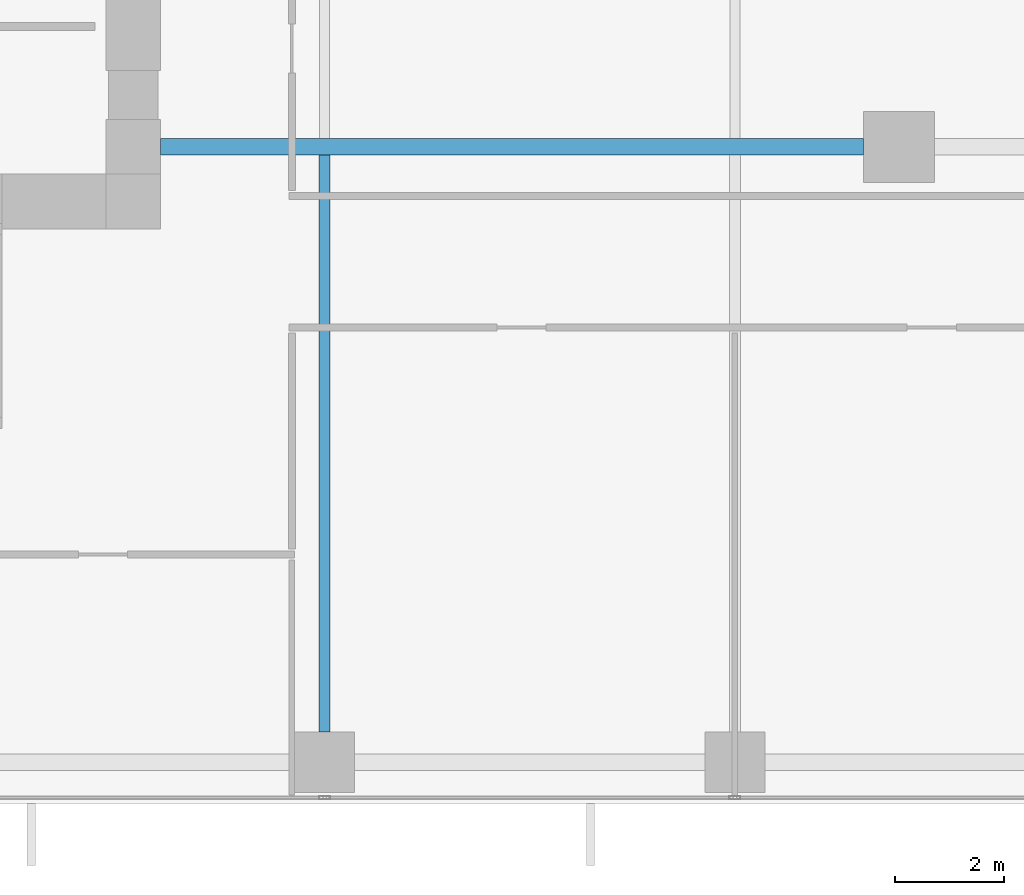
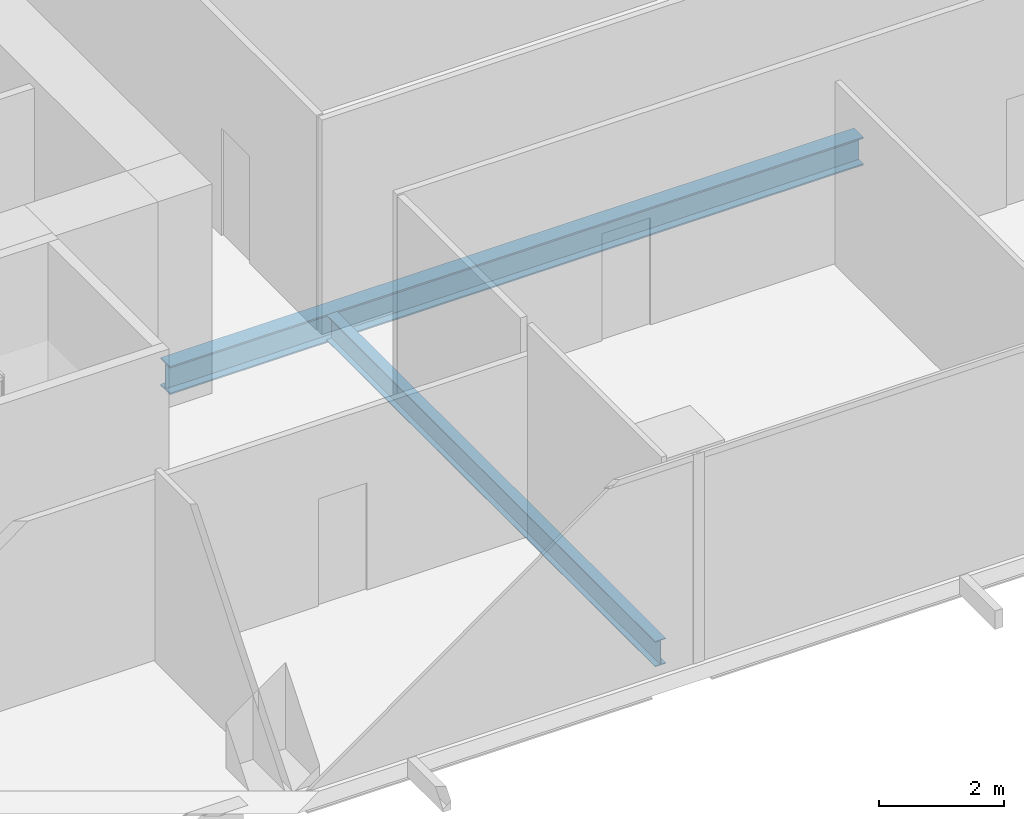
# One storey, part 6 of 34: 2 beams.
"""IFC4 building model written with IfcOpenShell, lengths in metres."""

from ifc_helpers import new_model, si_unit, direction, frame, origin, origin_2d, place, context, subcontext, project, spatial, i_section, extrude, source, transform, mapped, material, material_profile, profile_set, type_object, element, save


model = new_model("IFC4")

# Units and contexts
model_context = context("Model", 3, precision=1e-05, world=origin(), true_north=direction((0.0, 1.0)))
body_context = subcontext(model_context, "Body", "Model", "MODEL_VIEW")
ifc_project = project(units=[si_unit("LENGTHUNIT", "METRE"), si_unit("AREAUNIT", "SQUARE_METRE"), si_unit("VOLUMEUNIT", "CUBIC_METRE"), si_unit("PLANEANGLEUNIT", "RADIAN"), si_unit("MASSUNIT", "GRAM", prefix="KILO")], contexts=[model_context])

# Site, building, storey
site_placement = place(None, origin())
site = spatial("IfcSite", under=ifc_project, at=site_placement, CompositionType="ELEMENT")
building_placement = place(site_placement, origin())
building = spatial("IfcBuilding", under=site, at=building_placement, Name="Khomas Fold Tower", CompositionType="ELEMENT")
storey_placement = place(building_placement, frame((0.0, 0.0, 105.89990234375)))
storey = spatial("IfcBuildingStorey", under=building, at=storey_placement, Name="L22", CompositionType="ELEMENT", Elevation=105.89990234375)

# Beams
ifc_material_1 = material(Name="Steel S355", Category="steel")
ifc_material_profile_1 = material_profile(ifc_material_1, i_section(OverallWidth=0.300048828125, OverallDepth=0.550048828125, WebThickness=0.014892578125, FlangeThickness=0.029052734375, at=origin_2d()), Name="HE 550 B")
ifc_profile_set_1 = profile_set([ifc_material_profile_1], Name="Steel S355")
beam_type_1 = type_object("IfcBeamType", Name="HE 550 B beam GB4", PredefinedType="BEAM", material=ifc_profile_set_1)
shared_shape_1 = source(origin(), body_context, "Body", "SweptSolid", [
    extrude(i_section(OverallWidth=0.300048828125, OverallDepth=0.550048828125, WebThickness=0.014892578125, FlangeThickness=0.029052734375, at=origin_2d()), origin(), (0.0, 0.0, 1.0), 12.85009765625),
])
beam_1_placement = place(storey_placement, frame((24.0, 13.5, -0.574951171875), z_axis=(1.0, 0.0, 0.0), x_axis=(0.0, 1.0, 0.0)))
element("IfcBeam", 1, at=beam_1_placement, inside=storey, type_object=beam_type_1, Name="GB4", PredefinedType="BEAM", context=body_context, shape_type="MappedRepresentation", body=[
    mapped(shared_shape_1, transform((0.0, 0.0, 0.0))),
])
ifc_material_2 = material(Name="Steel S355", Category="steel")
ifc_material_profile_2 = material_profile(ifc_material_2, i_section(OverallWidth=0.199951171875, OverallDepth=0.5, WebThickness=0.01025390625, FlangeThickness=0.01611328125, at=origin_2d()), Name="IPE 500")
ifc_profile_set_2 = profile_set([ifc_material_profile_2], Name="Steel S355")
beam_type_2 = type_object("IfcBeamType", Name="IPE 500 beam JB5", PredefinedType="BEAM", material=ifc_profile_set_2)
shared_shape_2 = source(origin(), body_context, "Body", "SweptSolid", [
    extrude(i_section(OverallWidth=0.199951171875, OverallDepth=0.5, WebThickness=0.01025390625, FlangeThickness=0.01611328125, at=origin_2d()), origin(), (0.0, 0.0, 1.0), 10.550048828125),
])
beam_2_placement = place(storey_placement, frame((27.0, 2.800048828125, -0.5498046875), z_axis=(0.0, 1.0, 0.0), x_axis=(-1.0, 0.0, 0.0)))
element("IfcBeam", 2, at=beam_2_placement, inside=storey, type_object=beam_type_2, Name="JB5", PredefinedType="BEAM", context=body_context, shape_type="MappedRepresentation", body=[
    mapped(shared_shape_2, transform((0.0, 0.0, 0.0))),
])

save(model, "model.ifc")
